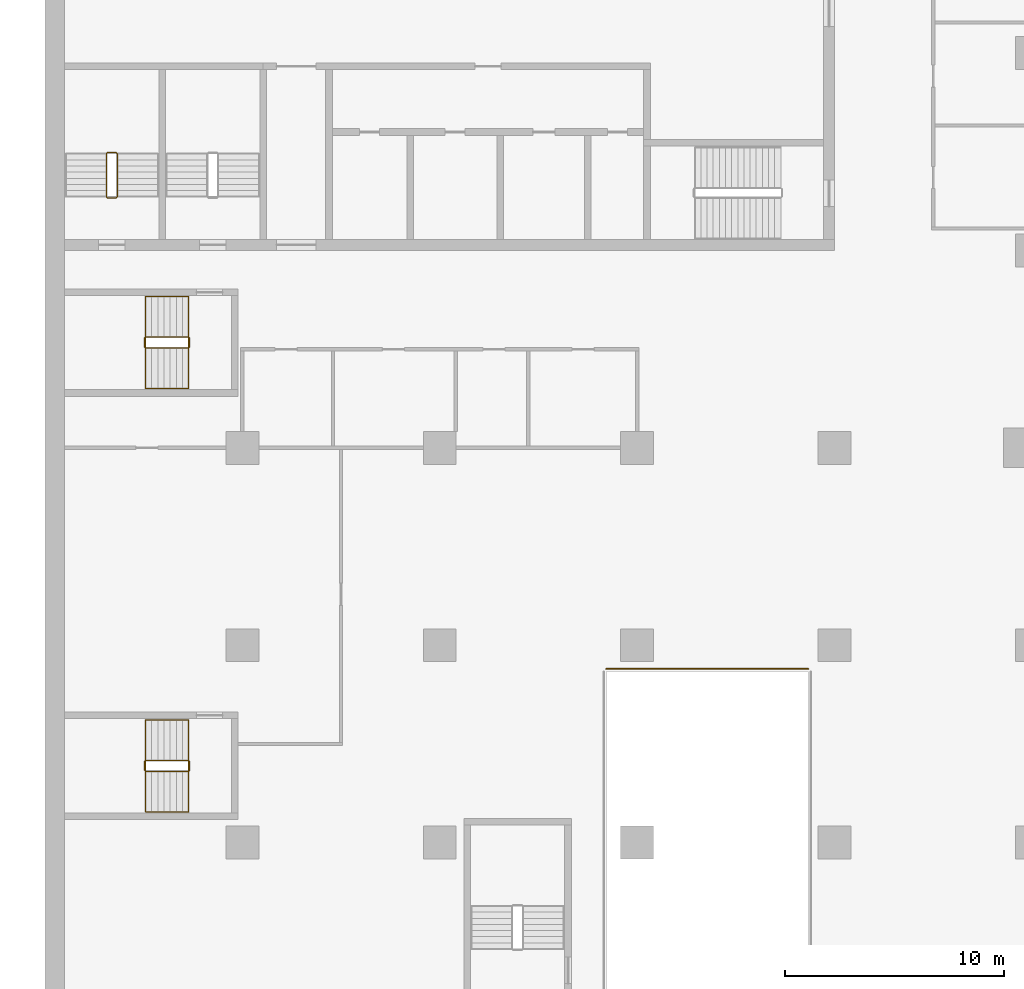
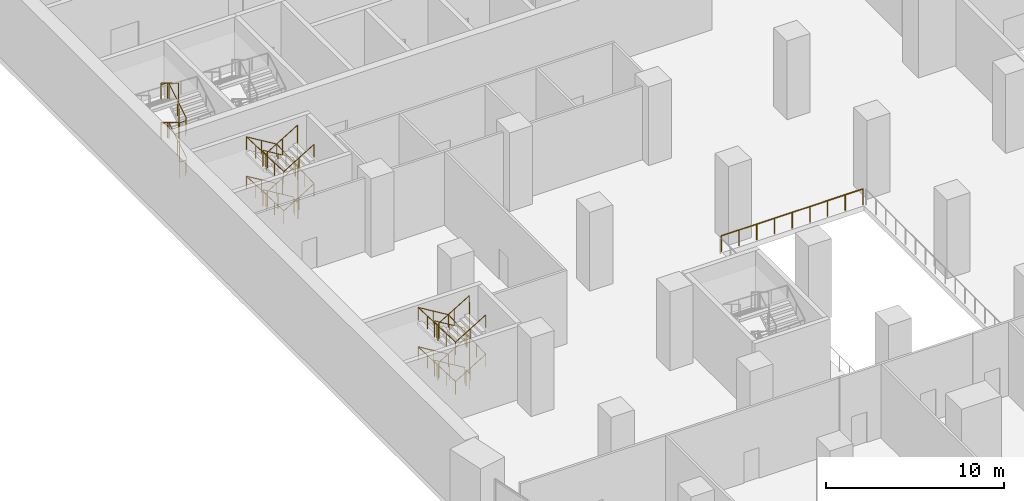
# One storey, part 32 of 43: 6 railings.
"""IFC4 building model written with IfcOpenShell, lengths in metres."""

from ifc_helpers import new_model, si_unit, direction, frame, origin, origin_2d, place, context, subcontext, project, spatial, circle, extrude, material, type_object, element, save


model = new_model("IFC4")

# Units and contexts
model_context = context("Model", 3, precision=1e-05, world=origin(), true_north=direction((0.0, 1.0)))
body_context = subcontext(model_context, "Body", "Model", "MODEL_VIEW")
ifc_project = project(units=[si_unit("LENGTHUNIT", "METRE"), si_unit("AREAUNIT", "SQUARE_METRE"), si_unit("VOLUMEUNIT", "CUBIC_METRE"), si_unit("PLANEANGLEUNIT", "RADIAN"), si_unit("MASSUNIT", "GRAM", prefix="KILO")], contexts=[model_context])

# Site, building, storey
site_placement = place(None, origin())
site = spatial("IfcSite", under=ifc_project, at=site_placement, CompositionType="ELEMENT")
building_placement = place(site_placement, origin())
building = spatial("IfcBuilding", under=site, at=building_placement, Name="Hunhe Ridgeline Campus", CompositionType="ELEMENT")
storey_placement = place(building_placement, frame((0.0, 0.0, 11.39990234375)))
storey = spatial("IfcBuildingStorey", under=building, at=storey_placement, Name="L02", CompositionType="ELEMENT", Elevation=11.39990234375)

# Railings
ifc_material_1 = material(Name="Glass and steel", Category="steel")
railing_type_1 = type_object("IfcRailingType", Name="Atrium glass guard 1100", PredefinedType="GUARDRAIL", material=ifc_material_1)
railing_1_placement = place(storey_placement, frame((34.800048828125, 43.919921875, 0.0)))
element("IfcRailing", 1, at=railing_1_placement, inside=storey, type_object=railing_type_1, Name="L02 atrium guard", PredefinedType="GUARDRAIL", context=body_context, shape_type="SweptSolid", body=[
    extrude(circle(Radius=0.02392578125, at=origin_2d()), frame((0.0, 0.0, 1.076171875), z_axis=(-1.0, 0.0, 0.0), x_axis=(0.0, -1.0, 0.0)), (0.0, 0.0, 1.0), 9.199951171875),
    extrude(circle(Radius=0.02099609375, at=origin_2d()), origin(), (0.0, 0.0, 1.0), 1.052001953125),
    extrude(circle(Radius=0.02099609375, at=origin_2d()), frame((-1.14990234375, 0.0, 0.0)), (0.0, 0.0, 1.0), 1.052001953125),
    extrude(circle(Radius=0.02099609375, at=origin_2d()), frame((-2.300048828125, 0.0, 0.0)), (0.0, 0.0, 1.0), 1.052001953125),
    extrude(circle(Radius=0.02099609375, at=origin_2d()), frame((-3.449951171875, 0.0, 0.0)), (0.0, 0.0, 1.0), 1.052001953125),
    extrude(circle(Radius=0.02099609375, at=origin_2d()), frame((-4.60009765625, 0.0, 0.0)), (0.0, 0.0, 1.0), 1.052001953125),
    extrude(circle(Radius=0.02099609375, at=origin_2d()), frame((-5.75, 0.0, 0.0)), (0.0, 0.0, 1.0), 1.052001953125),
    extrude(circle(Radius=0.02099609375, at=origin_2d()), frame((-6.89990234375, 0.0, 0.0)), (0.0, 0.0, 1.0), 1.052001953125),
    extrude(circle(Radius=0.02099609375, at=origin_2d()), frame((-8.050048828125, 0.0, 0.0)), (0.0, 0.0, 1.0), 1.052001953125),
    extrude(circle(Radius=0.02099609375, at=origin_2d()), frame((-9.199951171875, 0.0, 0.0)), (0.0, 0.0, 1.0), 1.052001953125),
])
ifc_material_2 = material(Name="Stainless steel balustrade", Category="steel")
railing_type_2 = type_object("IfcRailingType", Name="Stair guard 1100 stainless", PredefinedType="GUARDRAIL", material=ifc_material_2)
railing_2_placement = place(storey_placement, frame((3.300048828125, 65.449951171875, 0.1689453125)))
element("IfcRailing", 2, at=railing_2_placement, inside=storey, type_object=railing_type_2, Name="L02 stair S3 guard", PredefinedType="GUARDRAIL", context=body_context, shape_type="SweptSolid", body=[
    extrude(circle(Radius=0.02392578125, at=origin_2d()), frame((0.0, 0.0, 1.076171875), z_axis=(0.0, 0.856493463811, 0.516157869696), x_axis=(-1.0, 0.0, 0.0)), (0.0, 0.0, 1.0), 2.288330078125),
    extrude(circle(Radius=0.02392578125, at=origin_2d()), frame((0.0, 1.9599609375, 2.25732421875), z_axis=(-0.707106781187, 0.707106781187, 0.0), x_axis=(-0.707106781187, -0.707106781187, 0.0)), (0.0, 0.0, 1.0), 0.07080078125),
    extrude(circle(Radius=0.02392578125, at=origin_2d()), frame((-0.050048828125, 2.010009765625, 2.25732421875), z_axis=(-1.0, 0.0, 0.0), x_axis=(0.0, -1.0, 0.0)), (0.0, 0.0, 1.0), 0.39990234375),
    extrude(circle(Radius=0.02392578125, at=origin_2d()), frame((-0.449951171875, 2.010009765625, 2.25732421875), z_axis=(-0.273569069059, -0.273569069059, 0.922127935218), x_axis=(0.707106781187, -0.707106781187, 0.0)), (0.0, 0.0, 1.0), 0.182861328125),
    extrude(circle(Radius=0.02392578125, at=origin_2d()), frame((-0.5, 1.9599609375, 2.42578125), z_axis=(0.0, -0.856446297458, 0.516236127728), x_axis=(1.0, 0.0, 0.0)), (0.0, 0.0, 1.0), 2.28857421875),
    extrude(circle(Radius=0.02392578125, at=origin_2d()), frame((-0.5, 0.0, 3.607421875), z_axis=(0.707106781187, -0.707106781187, 0.0), x_axis=(0.707106781187, 0.707106781187, 0.0)), (0.0, 0.0, 1.0), 0.07080078125),
    extrude(circle(Radius=0.02392578125, at=origin_2d()), frame((-0.449951171875, -0.050048828125, 3.607421875), z_axis=(1.0, 0.0, 0.0), x_axis=(0.0, 1.0, 0.0)), (0.0, 0.0, 1.0), 0.39990234375),
    extrude(circle(Radius=0.02392578125, at=origin_2d()), frame((-0.050048828125, -0.050048828125, 3.607421875), z_axis=(0.273569069059, 0.273569069059, 0.922127935218), x_axis=(-0.707106781187, 0.707106781187, 0.0)), (0.0, 0.0, 1.0), 0.182861328125),
    extrude(circle(Radius=0.02392578125, at=origin_2d()), frame((0.0, 0.0, 3.77587890625), z_axis=(0.0, 0.856493463811, 0.516157869696), x_axis=(-1.0, 0.0, 0.0)), (0.0, 0.0, 1.0), 2.288330078125),
    extrude(circle(Radius=0.02392578125, at=origin_2d()), frame((0.0, 1.9599609375, 4.95703125), z_axis=(-0.707106781187, 0.707106781187, 0.0), x_axis=(-0.707106781187, -0.707106781187, 0.0)), (0.0, 0.0, 1.0), 0.07080078125),
    extrude(circle(Radius=0.02392578125, at=origin_2d()), frame((-0.050048828125, 2.010009765625, 4.95703125), z_axis=(-1.0, 0.0, 0.0), x_axis=(0.0, -1.0, 0.0)), (0.0, 0.0, 1.0), 0.39990234375),
    extrude(circle(Radius=0.02392578125, at=origin_2d()), frame((-0.449951171875, 2.010009765625, 4.95703125), z_axis=(-0.273569069059, -0.273569069059, 0.922127935218), x_axis=(0.707106781187, -0.707106781187, 0.0)), (0.0, 0.0, 1.0), 0.182861328125),
    extrude(circle(Radius=0.02392578125, at=origin_2d()), frame((-0.5, 1.9599609375, 5.1259765625), z_axis=(0.0, -0.856446297458, 0.516236127728), x_axis=(1.0, 0.0, 0.0)), (0.0, 0.0, 1.0), 2.28857421875),
    extrude(circle(Radius=0.02392578125, at=origin_2d()), frame((-0.5, 0.0, 6.30712890625), z_axis=(0.0092672541, -0.0092672541, -0.999914114313), x_axis=(1.0, 0.0, 0.0)), (0.0, 0.0, 1.0), 5.400634765625),
    extrude(circle(Radius=0.02392578125, at=origin_2d()), frame((-0.449951171875, -0.050048828125, 0.9072265625), z_axis=(1.0, 0.0, 0.0), x_axis=(0.0, 1.0, 0.0)), (0.0, 0.0, 1.0), 0.39990234375),
    extrude(circle(Radius=0.02099609375, at=origin_2d()), origin(), (0.0, 0.0, 1.0), 1.052001953125),
    extrude(circle(Radius=0.02099609375, at=origin_2d()), frame((0.0, 0.97998046875, 0.590576171875)), (0.0, 0.0, 1.0), 1.052001953125),
    extrude(circle(Radius=0.02099609375, at=origin_2d()), frame((0.0, 1.9599609375, 1.18115234375)), (0.0, 0.0, 1.0), 1.052001953125),
    extrude(circle(Radius=0.02099609375, at=origin_2d()), frame((-0.050048828125, 2.010009765625, 1.18115234375)), (0.0, 0.0, 1.0), 1.052001953125),
    extrude(circle(Radius=0.02099609375, at=origin_2d()), frame((-0.449951171875, 2.010009765625, 1.18115234375)), (0.0, 0.0, 1.0), 1.052001953125),
    extrude(circle(Radius=0.02099609375, at=origin_2d()), frame((-0.5, 1.9599609375, 1.349853515625)), (0.0, 0.0, 1.0), 1.052001953125),
    extrude(circle(Radius=0.02099609375, at=origin_2d()), frame((-0.5, 0.97998046875, 1.9404296875)), (0.0, 0.0, 1.0), 1.052001953125),
    extrude(circle(Radius=0.02099609375, at=origin_2d()), frame((-0.5, 0.0, 2.53125)), (0.0, 0.0, 1.0), 1.052001953125),
    extrude(circle(Radius=0.02099609375, at=origin_2d()), frame((-0.449951171875, -0.050048828125, 2.53125)), (0.0, 0.0, 1.0), 1.052001953125),
    extrude(circle(Radius=0.02099609375, at=origin_2d()), frame((-0.050048828125, -0.050048828125, 2.53125)), (0.0, 0.0, 1.0), 1.052001953125),
    extrude(circle(Radius=0.02099609375, at=origin_2d()), frame((0.0, 0.0, 2.699951171875)), (0.0, 0.0, 1.0), 1.052001953125),
    extrude(circle(Radius=0.02099609375, at=origin_2d()), frame((0.0, 0.97998046875, 3.29052734375)), (0.0, 0.0, 1.0), 1.052001953125),
    extrude(circle(Radius=0.02099609375, at=origin_2d()), frame((0.0, 1.9599609375, 3.881103515625)), (0.0, 0.0, 1.0), 1.052001953125),
    extrude(circle(Radius=0.02099609375, at=origin_2d()), frame((-0.050048828125, 2.010009765625, 3.881103515625)), (0.0, 0.0, 1.0), 1.052001953125),
    extrude(circle(Radius=0.02099609375, at=origin_2d()), frame((-0.449951171875, 2.010009765625, 3.881103515625)), (0.0, 0.0, 1.0), 1.052001953125),
    extrude(circle(Radius=0.02099609375, at=origin_2d()), frame((-0.5, 1.9599609375, 4.0498046875)), (0.0, 0.0, 1.0), 1.052001953125),
    extrude(circle(Radius=0.02099609375, at=origin_2d()), frame((-0.5, 0.97998046875, 4.640625)), (0.0, 0.0, 1.0), 1.052001953125),
    extrude(circle(Radius=0.02099609375, at=origin_2d()), frame((-0.5, 0.0, 5.231201171875)), (0.0, 0.0, 1.0), 1.052001953125),
    extrude(circle(Radius=0.02099609375, at=origin_2d()), frame((-0.489990234375, -0.010009765625, 4.151123046875)), (0.0, 0.0, 1.0), 1.052001953125),
    extrude(circle(Radius=0.02099609375, at=origin_2d()), frame((-0.47998046875, -0.02001953125, 3.071044921875)), (0.0, 0.0, 1.0), 1.052001953125),
    extrude(circle(Radius=0.02099609375, at=origin_2d()), frame((-0.469970703125, -0.030029296875, 1.9912109375)), (0.0, 0.0, 1.0), 1.052001953125),
    extrude(circle(Radius=0.02099609375, at=origin_2d()), frame((-0.4599609375, -0.0400390625, 0.9111328125)), (0.0, 0.0, 1.0), 1.052001953125),
    extrude(circle(Radius=0.02099609375, at=origin_2d()), frame((-0.449951171875, -0.050048828125, -0.1689453125)), (0.0, 0.0, 1.0), 1.052001953125),
    extrude(circle(Radius=0.02099609375, at=origin_2d()), frame((-0.050048828125, -0.050048828125, -0.1689453125)), (0.0, 0.0, 1.0), 1.052001953125),
])
railing_3_placement = place(storey_placement, frame((6.550048828125, 39.75, 0.1689453125)))
element("IfcRailing", 3, at=railing_3_placement, inside=storey, type_object=railing_type_2, Name="L02 stair W1 guard", PredefinedType="GUARDRAIL", context=body_context, shape_type="SweptSolid", body=[
    extrude(circle(Radius=0.02392578125, at=origin_2d()), frame((0.0, 0.0, 1.076171875), z_axis=(-0.856493463811, 0.0, 0.516157869696), x_axis=(0.0, -1.0, 0.0)), (0.0, 0.0, 1.0), 2.288330078125),
    extrude(circle(Radius=0.02392578125, at=origin_2d()), frame((-1.9599609375, 0.0, 2.25732421875), z_axis=(-0.707106781187, -0.707106781187, 0.0), x_axis=(0.707106781187, -0.707106781187, 0.0)), (0.0, 0.0, 1.0), 0.07080078125),
    extrude(circle(Radius=0.02392578125, at=origin_2d()), frame((-2.010009765625, -0.050048828125, 2.25732421875), z_axis=(0.0, -1.0, 0.0), x_axis=(1.0, 0.0, 0.0)), (0.0, 0.0, 1.0), 0.39990234375),
    extrude(circle(Radius=0.02392578125, at=origin_2d()), frame((-2.010009765625, -0.449951171875, 2.25732421875), z_axis=(0.273569069059, -0.273569069059, 0.922127935218), x_axis=(0.707106781187, 0.707106781187, 0.0)), (0.0, 0.0, 1.0), 0.182861328125),
    extrude(circle(Radius=0.02392578125, at=origin_2d()), frame((-1.9599609375, -0.5, 2.42578125), z_axis=(0.856446297458, 0.0, 0.516236127728), x_axis=(0.0, 1.0, 0.0)), (0.0, 0.0, 1.0), 2.28857421875),
    extrude(circle(Radius=0.02392578125, at=origin_2d()), frame((0.0, -0.5, 3.607421875), z_axis=(0.707106781187, 0.707106781187, 0.0), x_axis=(-0.707106781187, 0.707106781187, 0.0)), (0.0, 0.0, 1.0), 0.07080078125),
    extrude(circle(Radius=0.02392578125, at=origin_2d()), frame((0.050048828125, -0.449951171875, 3.607421875), z_axis=(0.0, 1.0, 0.0), x_axis=(-1.0, 0.0, 0.0)), (0.0, 0.0, 1.0), 0.39990234375),
    extrude(circle(Radius=0.02392578125, at=origin_2d()), frame((0.050048828125, -0.050048828125, 3.607421875), z_axis=(-0.273569069059, 0.273569069059, 0.922127935218), x_axis=(-0.707106781187, -0.707106781187, 0.0)), (0.0, 0.0, 1.0), 0.182861328125),
    extrude(circle(Radius=0.02392578125, at=origin_2d()), frame((0.0, 0.0, 3.77587890625), z_axis=(-0.856493463811, 0.0, 0.516157869696), x_axis=(0.0, -1.0, 0.0)), (0.0, 0.0, 1.0), 2.288330078125),
    extrude(circle(Radius=0.02392578125, at=origin_2d()), frame((-1.9599609375, 0.0, 4.95703125), z_axis=(-0.707106781187, -0.707106781187, 0.0), x_axis=(0.707106781187, -0.707106781187, 0.0)), (0.0, 0.0, 1.0), 0.07080078125),
    extrude(circle(Radius=0.02392578125, at=origin_2d()), frame((-2.010009765625, -0.050048828125, 4.95703125), z_axis=(0.0, -1.0, 0.0), x_axis=(1.0, 0.0, 0.0)), (0.0, 0.0, 1.0), 0.39990234375),
    extrude(circle(Radius=0.02392578125, at=origin_2d()), frame((-2.010009765625, -0.449951171875, 4.95703125), z_axis=(0.273569069059, -0.273569069059, 0.922127935218), x_axis=(0.707106781187, 0.707106781187, 0.0)), (0.0, 0.0, 1.0), 0.182861328125),
    extrude(circle(Radius=0.02392578125, at=origin_2d()), frame((-1.9599609375, -0.5, 5.1259765625), z_axis=(0.856446297458, 0.0, 0.516236127728), x_axis=(0.0, 1.0, 0.0)), (0.0, 0.0, 1.0), 2.28857421875),
    extrude(circle(Radius=0.02392578125, at=origin_2d()), frame((0.0, -0.5, 6.30712890625), z_axis=(0.0092672541, 0.0092672541, -0.999914114313), x_axis=(1.0, 0.0, 0.0)), (0.0, 0.0, 1.0), 5.400634765625),
    extrude(circle(Radius=0.02392578125, at=origin_2d()), frame((0.050048828125, -0.449951171875, 0.9072265625), z_axis=(0.0, 1.0, 0.0), x_axis=(-1.0, 0.0, 0.0)), (0.0, 0.0, 1.0), 0.39990234375),
    extrude(circle(Radius=0.02099609375, at=origin_2d()), origin(), (0.0, 0.0, 1.0), 1.052001953125),
    extrude(circle(Radius=0.02099609375, at=origin_2d()), frame((-0.97998046875, 0.0, 0.590576171875)), (0.0, 0.0, 1.0), 1.052001953125),
    extrude(circle(Radius=0.02099609375, at=origin_2d()), frame((-1.9599609375, 0.0, 1.18115234375)), (0.0, 0.0, 1.0), 1.052001953125),
    extrude(circle(Radius=0.02099609375, at=origin_2d()), frame((-2.010009765625, -0.050048828125, 1.18115234375)), (0.0, 0.0, 1.0), 1.052001953125),
    extrude(circle(Radius=0.02099609375, at=origin_2d()), frame((-2.010009765625, -0.449951171875, 1.18115234375)), (0.0, 0.0, 1.0), 1.052001953125),
    extrude(circle(Radius=0.02099609375, at=origin_2d()), frame((-1.9599609375, -0.5, 1.349853515625)), (0.0, 0.0, 1.0), 1.052001953125),
    extrude(circle(Radius=0.02099609375, at=origin_2d()), frame((-0.97998046875, -0.5, 1.9404296875)), (0.0, 0.0, 1.0), 1.052001953125),
    extrude(circle(Radius=0.02099609375, at=origin_2d()), frame((0.0, -0.5, 2.53125)), (0.0, 0.0, 1.0), 1.052001953125),
    extrude(circle(Radius=0.02099609375, at=origin_2d()), frame((0.050048828125, -0.449951171875, 2.53125)), (0.0, 0.0, 1.0), 1.052001953125),
    extrude(circle(Radius=0.02099609375, at=origin_2d()), frame((0.050048828125, -0.050048828125, 2.53125)), (0.0, 0.0, 1.0), 1.052001953125),
    extrude(circle(Radius=0.02099609375, at=origin_2d()), frame((0.0, 0.0, 2.699951171875)), (0.0, 0.0, 1.0), 1.052001953125),
    extrude(circle(Radius=0.02099609375, at=origin_2d()), frame((-0.97998046875, 0.0, 3.29052734375)), (0.0, 0.0, 1.0), 1.052001953125),
    extrude(circle(Radius=0.02099609375, at=origin_2d()), frame((-1.9599609375, 0.0, 3.881103515625)), (0.0, 0.0, 1.0), 1.052001953125),
    extrude(circle(Radius=0.02099609375, at=origin_2d()), frame((-2.010009765625, -0.050048828125, 3.881103515625)), (0.0, 0.0, 1.0), 1.052001953125),
    extrude(circle(Radius=0.02099609375, at=origin_2d()), frame((-2.010009765625, -0.449951171875, 3.881103515625)), (0.0, 0.0, 1.0), 1.052001953125),
    extrude(circle(Radius=0.02099609375, at=origin_2d()), frame((-1.9599609375, -0.5, 4.0498046875)), (0.0, 0.0, 1.0), 1.052001953125),
    extrude(circle(Radius=0.02099609375, at=origin_2d()), frame((-0.97998046875, -0.5, 4.640625)), (0.0, 0.0, 1.0), 1.052001953125),
    extrude(circle(Radius=0.02099609375, at=origin_2d()), frame((0.0, -0.5, 5.231201171875)), (0.0, 0.0, 1.0), 1.052001953125),
    extrude(circle(Radius=0.02099609375, at=origin_2d()), frame((0.010009765625, -0.489990234375, 4.151123046875)), (0.0, 0.0, 1.0), 1.052001953125),
    extrude(circle(Radius=0.02099609375, at=origin_2d()), frame((0.02001953125, -0.47998046875, 3.071044921875)), (0.0, 0.0, 1.0), 1.052001953125),
    extrude(circle(Radius=0.02099609375, at=origin_2d()), frame((0.030029296875, -0.469970703125, 1.9912109375)), (0.0, 0.0, 1.0), 1.052001953125),
    extrude(circle(Radius=0.02099609375, at=origin_2d()), frame((0.0400390625, -0.4599609375, 0.9111328125)), (0.0, 0.0, 1.0), 1.052001953125),
    extrude(circle(Radius=0.02099609375, at=origin_2d()), frame((0.050048828125, -0.449951171875, -0.1689453125)), (0.0, 0.0, 1.0), 1.052001953125),
    extrude(circle(Radius=0.02099609375, at=origin_2d()), frame((0.050048828125, -0.050048828125, -0.1689453125)), (0.0, 0.0, 1.0), 1.052001953125),
])
railing_4_placement = place(storey_placement, frame((6.550048828125, 59.050048828125, 0.1689453125)))
element("IfcRailing", 4, at=railing_4_placement, inside=storey, type_object=railing_type_2, Name="L02 stair W2 guard", PredefinedType="GUARDRAIL", context=body_context, shape_type="SweptSolid", body=[
    extrude(circle(Radius=0.02392578125, at=origin_2d()), frame((0.0, 0.0, 1.076171875), z_axis=(-0.856493463811, 0.0, 0.516157869696), x_axis=(0.0, -1.0, 0.0)), (0.0, 0.0, 1.0), 2.288330078125),
    extrude(circle(Radius=0.02392578125, at=origin_2d()), frame((-1.9599609375, 0.0, 2.25732421875), z_axis=(-0.707106781187, -0.707106781187, 0.0), x_axis=(0.707106781187, -0.707106781187, 0.0)), (0.0, 0.0, 1.0), 0.07080078125),
    extrude(circle(Radius=0.02392578125, at=origin_2d()), frame((-2.010009765625, -0.050048828125, 2.25732421875), z_axis=(0.0, -1.0, 0.0), x_axis=(1.0, 0.0, 0.0)), (0.0, 0.0, 1.0), 0.39990234375),
    extrude(circle(Radius=0.02392578125, at=origin_2d()), frame((-2.010009765625, -0.449951171875, 2.25732421875), z_axis=(0.273569069059, -0.273569069059, 0.922127935218), x_axis=(0.707106781187, 0.707106781187, 0.0)), (0.0, 0.0, 1.0), 0.182861328125),
    extrude(circle(Radius=0.02392578125, at=origin_2d()), frame((-1.9599609375, -0.5, 2.42578125), z_axis=(0.856446297458, 0.0, 0.516236127728), x_axis=(0.0, 1.0, 0.0)), (0.0, 0.0, 1.0), 2.28857421875),
    extrude(circle(Radius=0.02392578125, at=origin_2d()), frame((0.0, -0.5, 3.607421875), z_axis=(0.707106781187, 0.707106781187, 0.0), x_axis=(-0.707106781187, 0.707106781187, 0.0)), (0.0, 0.0, 1.0), 0.07080078125),
    extrude(circle(Radius=0.02392578125, at=origin_2d()), frame((0.050048828125, -0.449951171875, 3.607421875), z_axis=(0.0, 1.0, 0.0), x_axis=(-1.0, 0.0, 0.0)), (0.0, 0.0, 1.0), 0.39990234375),
    extrude(circle(Radius=0.02392578125, at=origin_2d()), frame((0.050048828125, -0.050048828125, 3.607421875), z_axis=(-0.273569069059, 0.273569069059, 0.922127935218), x_axis=(-0.707106781187, -0.707106781187, 0.0)), (0.0, 0.0, 1.0), 0.182861328125),
    extrude(circle(Radius=0.02392578125, at=origin_2d()), frame((0.0, 0.0, 3.77587890625), z_axis=(-0.856493463811, 0.0, 0.516157869696), x_axis=(0.0, -1.0, 0.0)), (0.0, 0.0, 1.0), 2.288330078125),
    extrude(circle(Radius=0.02392578125, at=origin_2d()), frame((-1.9599609375, 0.0, 4.95703125), z_axis=(-0.707106781187, -0.707106781187, 0.0), x_axis=(0.707106781187, -0.707106781187, 0.0)), (0.0, 0.0, 1.0), 0.07080078125),
    extrude(circle(Radius=0.02392578125, at=origin_2d()), frame((-2.010009765625, -0.050048828125, 4.95703125), z_axis=(0.0, -1.0, 0.0), x_axis=(1.0, 0.0, 0.0)), (0.0, 0.0, 1.0), 0.39990234375),
    extrude(circle(Radius=0.02392578125, at=origin_2d()), frame((-2.010009765625, -0.449951171875, 4.95703125), z_axis=(0.273569069059, -0.273569069059, 0.922127935218), x_axis=(0.707106781187, 0.707106781187, 0.0)), (0.0, 0.0, 1.0), 0.182861328125),
    extrude(circle(Radius=0.02392578125, at=origin_2d()), frame((-1.9599609375, -0.5, 5.1259765625), z_axis=(0.856446297458, 0.0, 0.516236127728), x_axis=(0.0, 1.0, 0.0)), (0.0, 0.0, 1.0), 2.28857421875),
    extrude(circle(Radius=0.02392578125, at=origin_2d()), frame((0.0, -0.5, 6.30712890625), z_axis=(0.0092672541, 0.0092672541, -0.999914114313), x_axis=(1.0, 0.0, 0.0)), (0.0, 0.0, 1.0), 5.400634765625),
    extrude(circle(Radius=0.02392578125, at=origin_2d()), frame((0.050048828125, -0.449951171875, 0.9072265625), z_axis=(0.0, 1.0, 0.0), x_axis=(-1.0, 0.0, 0.0)), (0.0, 0.0, 1.0), 0.39990234375),
    extrude(circle(Radius=0.02099609375, at=origin_2d()), origin(), (0.0, 0.0, 1.0), 1.052001953125),
    extrude(circle(Radius=0.02099609375, at=origin_2d()), frame((-0.97998046875, 0.0, 0.590576171875)), (0.0, 0.0, 1.0), 1.052001953125),
    extrude(circle(Radius=0.02099609375, at=origin_2d()), frame((-1.9599609375, 0.0, 1.18115234375)), (0.0, 0.0, 1.0), 1.052001953125),
    extrude(circle(Radius=0.02099609375, at=origin_2d()), frame((-2.010009765625, -0.050048828125, 1.18115234375)), (0.0, 0.0, 1.0), 1.052001953125),
    extrude(circle(Radius=0.02099609375, at=origin_2d()), frame((-2.010009765625, -0.449951171875, 1.18115234375)), (0.0, 0.0, 1.0), 1.052001953125),
    extrude(circle(Radius=0.02099609375, at=origin_2d()), frame((-1.9599609375, -0.5, 1.349853515625)), (0.0, 0.0, 1.0), 1.052001953125),
    extrude(circle(Radius=0.02099609375, at=origin_2d()), frame((-0.97998046875, -0.5, 1.9404296875)), (0.0, 0.0, 1.0), 1.052001953125),
    extrude(circle(Radius=0.02099609375, at=origin_2d()), frame((0.0, -0.5, 2.53125)), (0.0, 0.0, 1.0), 1.052001953125),
    extrude(circle(Radius=0.02099609375, at=origin_2d()), frame((0.050048828125, -0.449951171875, 2.53125)), (0.0, 0.0, 1.0), 1.052001953125),
    extrude(circle(Radius=0.02099609375, at=origin_2d()), frame((0.050048828125, -0.050048828125, 2.53125)), (0.0, 0.0, 1.0), 1.052001953125),
    extrude(circle(Radius=0.02099609375, at=origin_2d()), frame((0.0, 0.0, 2.699951171875)), (0.0, 0.0, 1.0), 1.052001953125),
    extrude(circle(Radius=0.02099609375, at=origin_2d()), frame((-0.97998046875, 0.0, 3.29052734375)), (0.0, 0.0, 1.0), 1.052001953125),
    extrude(circle(Radius=0.02099609375, at=origin_2d()), frame((-1.9599609375, 0.0, 3.881103515625)), (0.0, 0.0, 1.0), 1.052001953125),
    extrude(circle(Radius=0.02099609375, at=origin_2d()), frame((-2.010009765625, -0.050048828125, 3.881103515625)), (0.0, 0.0, 1.0), 1.052001953125),
    extrude(circle(Radius=0.02099609375, at=origin_2d()), frame((-2.010009765625, -0.449951171875, 3.881103515625)), (0.0, 0.0, 1.0), 1.052001953125),
    extrude(circle(Radius=0.02099609375, at=origin_2d()), frame((-1.9599609375, -0.5, 4.0498046875)), (0.0, 0.0, 1.0), 1.052001953125),
    extrude(circle(Radius=0.02099609375, at=origin_2d()), frame((-0.97998046875, -0.5, 4.640625)), (0.0, 0.0, 1.0), 1.052001953125),
    extrude(circle(Radius=0.02099609375, at=origin_2d()), frame((0.0, -0.5, 5.231201171875)), (0.0, 0.0, 1.0), 1.052001953125),
    extrude(circle(Radius=0.02099609375, at=origin_2d()), frame((0.010009765625, -0.489990234375, 4.151123046875)), (0.0, 0.0, 1.0), 1.052001953125),
    extrude(circle(Radius=0.02099609375, at=origin_2d()), frame((0.02001953125, -0.47998046875, 3.071044921875)), (0.0, 0.0, 1.0), 1.052001953125),
    extrude(circle(Radius=0.02099609375, at=origin_2d()), frame((0.030029296875, -0.469970703125, 1.9912109375)), (0.0, 0.0, 1.0), 1.052001953125),
    extrude(circle(Radius=0.02099609375, at=origin_2d()), frame((0.0400390625, -0.4599609375, 0.9111328125)), (0.0, 0.0, 1.0), 1.052001953125),
    extrude(circle(Radius=0.02099609375, at=origin_2d()), frame((0.050048828125, -0.449951171875, -0.1689453125)), (0.0, 0.0, 1.0), 1.052001953125),
    extrude(circle(Radius=0.02099609375, at=origin_2d()), frame((0.050048828125, -0.050048828125, -0.1689453125)), (0.0, 0.0, 1.0), 1.052001953125),
])
ifc_material_3 = material(Name="Stainless steel handrail", Category="steel")
railing_type_3 = type_object("IfcRailingType", Name="Stair handrail 900 stainless", PredefinedType="HANDRAIL", material=ifc_material_3)
railing_5_placement = place(storey_placement, frame((6.550048828125, 41.60009765625, 0.1689453125)))
element("IfcRailing", 5, at=railing_5_placement, inside=storey, type_object=railing_type_3, Name="L02 stair W1 handrail", PredefinedType="HANDRAIL", context=body_context, shape_type="SweptSolid", body=[
    extrude(circle(Radius=0.02392578125, at=origin_2d()), frame((0.0, 0.0, 0.8759765625), z_axis=(-0.856493463811, 0.0, 0.516157869696), x_axis=(0.0, -1.0, 0.0)), (0.0, 0.0, 1.0), 2.288330078125),
    extrude(circle(Radius=0.02392578125, at=origin_2d()), frame((-1.9599609375, 0.0, 2.05712890625), z_axis=(0.0, -0.999194357895, 0.040132719211), x_axis=(1.0, 0.0, 0.0)), (0.0, 0.0, 1.0), 4.20361328125),
    extrude(circle(Radius=0.02392578125, at=origin_2d()), frame((-1.9599609375, -4.2001953125, 2.2255859375), z_axis=(0.856446297458, 0.0, 0.516236127728), x_axis=(0.0, 1.0, 0.0)), (0.0, 0.0, 1.0), 2.28857421875),
    extrude(circle(Radius=0.02392578125, at=origin_2d()), frame((0.0, -4.2001953125, 3.4072265625), z_axis=(0.0, 0.999194357895, 0.040132719211), x_axis=(-1.0, 0.0, 0.0)), (0.0, 0.0, 1.0), 4.20361328125),
    extrude(circle(Radius=0.02392578125, at=origin_2d()), frame((0.0, 0.0, 3.57568359375), z_axis=(-0.856493463811, 0.0, 0.516157869696), x_axis=(0.0, -1.0, 0.0)), (0.0, 0.0, 1.0), 2.288330078125),
    extrude(circle(Radius=0.02392578125, at=origin_2d()), frame((-1.9599609375, 0.0, 4.7568359375), z_axis=(0.0, -0.999194357895, 0.040132719211), x_axis=(1.0, 0.0, 0.0)), (0.0, 0.0, 1.0), 4.20361328125),
    extrude(circle(Radius=0.02392578125, at=origin_2d()), frame((-1.9599609375, -4.2001953125, 4.92578125), z_axis=(0.856446297458, 0.0, 0.516236127728), x_axis=(0.0, 1.0, 0.0)), (0.0, 0.0, 1.0), 2.28857421875),
    extrude(circle(Radius=0.02099609375, at=origin_2d()), origin(), (0.0, 0.0, 1.0), 0.851806640625),
    extrude(circle(Radius=0.02099609375, at=origin_2d()), frame((-0.97998046875, 0.0, 0.590576171875)), (0.0, 0.0, 1.0), 0.851806640625),
    extrude(circle(Radius=0.02099609375, at=origin_2d()), frame((-1.9599609375, 0.0, 1.18115234375)), (0.0, 0.0, 1.0), 0.851806640625),
    extrude(circle(Radius=0.02099609375, at=origin_2d()), frame((-1.9599609375, -1.050048828125, 1.223388671875)), (0.0, 0.0, 1.0), 0.851806640625),
    extrude(circle(Radius=0.02099609375, at=origin_2d()), frame((-1.9599609375, -2.10009765625, 1.265625)), (0.0, 0.0, 1.0), 0.851806640625),
    extrude(circle(Radius=0.02099609375, at=origin_2d()), frame((-1.9599609375, -3.150146484375, 1.3076171875)), (0.0, 0.0, 1.0), 0.851806640625),
    extrude(circle(Radius=0.02099609375, at=origin_2d()), frame((-1.9599609375, -4.2001953125, 1.349853515625)), (0.0, 0.0, 1.0), 0.851806640625),
    extrude(circle(Radius=0.02099609375, at=origin_2d()), frame((-0.97998046875, -4.2001953125, 1.9404296875)), (0.0, 0.0, 1.0), 0.851806640625),
    extrude(circle(Radius=0.02099609375, at=origin_2d()), frame((0.0, -4.2001953125, 2.53125)), (0.0, 0.0, 1.0), 0.851806640625),
    extrude(circle(Radius=0.02099609375, at=origin_2d()), frame((0.0, -3.150146484375, 2.573486328125)), (0.0, 0.0, 1.0), 0.851806640625),
    extrude(circle(Radius=0.02099609375, at=origin_2d()), frame((0.0, -2.10009765625, 2.61572265625)), (0.0, 0.0, 1.0), 0.851806640625),
    extrude(circle(Radius=0.02099609375, at=origin_2d()), frame((0.0, -1.050048828125, 2.65771484375)), (0.0, 0.0, 1.0), 0.851806640625),
    extrude(circle(Radius=0.02099609375, at=origin_2d()), frame((0.0, 0.0, 2.699951171875)), (0.0, 0.0, 1.0), 0.851806640625),
    extrude(circle(Radius=0.02099609375, at=origin_2d()), frame((-0.97998046875, 0.0, 3.29052734375)), (0.0, 0.0, 1.0), 0.851806640625),
    extrude(circle(Radius=0.02099609375, at=origin_2d()), frame((-1.9599609375, 0.0, 3.881103515625)), (0.0, 0.0, 1.0), 0.851806640625),
    extrude(circle(Radius=0.02099609375, at=origin_2d()), frame((-1.9599609375, -1.050048828125, 3.92333984375)), (0.0, 0.0, 1.0), 0.851806640625),
    extrude(circle(Radius=0.02099609375, at=origin_2d()), frame((-1.9599609375, -2.10009765625, 3.96533203125)), (0.0, 0.0, 1.0), 0.851806640625),
    extrude(circle(Radius=0.02099609375, at=origin_2d()), frame((-1.9599609375, -3.150146484375, 4.007568359375)), (0.0, 0.0, 1.0), 0.851806640625),
    extrude(circle(Radius=0.02099609375, at=origin_2d()), frame((-1.9599609375, -4.2001953125, 4.0498046875)), (0.0, 0.0, 1.0), 0.851806640625),
    extrude(circle(Radius=0.02099609375, at=origin_2d()), frame((-0.97998046875, -4.2001953125, 4.640625)), (0.0, 0.0, 1.0), 0.851806640625),
    extrude(circle(Radius=0.02099609375, at=origin_2d()), frame((0.0, -4.2001953125, 5.231201171875)), (0.0, 0.0, 1.0), 0.851806640625),
])
railing_6_placement = place(storey_placement, frame((6.550048828125, 60.89990234375, 0.1689453125)))
element("IfcRailing", 6, at=railing_6_placement, inside=storey, type_object=railing_type_3, Name="L02 stair W2 handrail", PredefinedType="HANDRAIL", context=body_context, shape_type="SweptSolid", body=[
    extrude(circle(Radius=0.02392578125, at=origin_2d()), frame((0.0, 0.0, 0.8759765625), z_axis=(-0.856493463811, 0.0, 0.516157869696), x_axis=(0.0, -1.0, 0.0)), (0.0, 0.0, 1.0), 2.288330078125),
    extrude(circle(Radius=0.02392578125, at=origin_2d()), frame((-1.9599609375, 0.0, 2.05712890625), z_axis=(0.0, -0.999194264342, 0.040135048344), x_axis=(1.0, 0.0, 0.0)), (0.0, 0.0, 1.0), 4.203369140625),
    extrude(circle(Radius=0.02392578125, at=origin_2d()), frame((-1.9599609375, -4.199951171875, 2.2255859375), z_axis=(0.856446297458, 0.0, 0.516236127728), x_axis=(0.0, 1.0, 0.0)), (0.0, 0.0, 1.0), 2.28857421875),
    extrude(circle(Radius=0.02392578125, at=origin_2d()), frame((0.0, -4.199951171875, 3.4072265625), z_axis=(0.0, 0.999194264342, 0.040135048344), x_axis=(-1.0, 0.0, 0.0)), (0.0, 0.0, 1.0), 4.203369140625),
    extrude(circle(Radius=0.02392578125, at=origin_2d()), frame((0.0, 0.0, 3.57568359375), z_axis=(-0.856493463811, 0.0, 0.516157869696), x_axis=(0.0, -1.0, 0.0)), (0.0, 0.0, 1.0), 2.288330078125),
    extrude(circle(Radius=0.02392578125, at=origin_2d()), frame((-1.9599609375, 0.0, 4.7568359375), z_axis=(0.0, -0.999194264342, 0.040135048344), x_axis=(1.0, 0.0, 0.0)), (0.0, 0.0, 1.0), 4.203369140625),
    extrude(circle(Radius=0.02392578125, at=origin_2d()), frame((-1.9599609375, -4.199951171875, 4.92578125), z_axis=(0.856446297458, 0.0, 0.516236127728), x_axis=(0.0, 1.0, 0.0)), (0.0, 0.0, 1.0), 2.28857421875),
    extrude(circle(Radius=0.02099609375, at=origin_2d()), origin(), (0.0, 0.0, 1.0), 0.851806640625),
    extrude(circle(Radius=0.02099609375, at=origin_2d()), frame((-0.97998046875, 0.0, 0.590576171875)), (0.0, 0.0, 1.0), 0.851806640625),
    extrude(circle(Radius=0.02099609375, at=origin_2d()), frame((-1.9599609375, 0.0, 1.18115234375)), (0.0, 0.0, 1.0), 0.851806640625),
    extrude(circle(Radius=0.02099609375, at=origin_2d()), frame((-1.9599609375, -1.050048828125, 1.223388671875)), (0.0, 0.0, 1.0), 0.851806640625),
    extrude(circle(Radius=0.02099609375, at=origin_2d()), frame((-1.9599609375, -2.10009765625, 1.265625)), (0.0, 0.0, 1.0), 0.851806640625),
    extrude(circle(Radius=0.02099609375, at=origin_2d()), frame((-1.9599609375, -3.14990234375, 1.3076171875)), (0.0, 0.0, 1.0), 0.851806640625),
    extrude(circle(Radius=0.02099609375, at=origin_2d()), frame((-1.9599609375, -4.199951171875, 1.349853515625)), (0.0, 0.0, 1.0), 0.851806640625),
    extrude(circle(Radius=0.02099609375, at=origin_2d()), frame((-0.97998046875, -4.199951171875, 1.9404296875)), (0.0, 0.0, 1.0), 0.851806640625),
    extrude(circle(Radius=0.02099609375, at=origin_2d()), frame((0.0, -4.199951171875, 2.53125)), (0.0, 0.0, 1.0), 0.851806640625),
    extrude(circle(Radius=0.02099609375, at=origin_2d()), frame((0.0, -3.14990234375, 2.573486328125)), (0.0, 0.0, 1.0), 0.851806640625),
    extrude(circle(Radius=0.02099609375, at=origin_2d()), frame((0.0, -2.10009765625, 2.61572265625)), (0.0, 0.0, 1.0), 0.851806640625),
    extrude(circle(Radius=0.02099609375, at=origin_2d()), frame((0.0, -1.050048828125, 2.65771484375)), (0.0, 0.0, 1.0), 0.851806640625),
    extrude(circle(Radius=0.02099609375, at=origin_2d()), frame((0.0, 0.0, 2.699951171875)), (0.0, 0.0, 1.0), 0.851806640625),
    extrude(circle(Radius=0.02099609375, at=origin_2d()), frame((-0.97998046875, 0.0, 3.29052734375)), (0.0, 0.0, 1.0), 0.851806640625),
    extrude(circle(Radius=0.02099609375, at=origin_2d()), frame((-1.9599609375, 0.0, 3.881103515625)), (0.0, 0.0, 1.0), 0.851806640625),
    extrude(circle(Radius=0.02099609375, at=origin_2d()), frame((-1.9599609375, -1.050048828125, 3.92333984375)), (0.0, 0.0, 1.0), 0.851806640625),
    extrude(circle(Radius=0.02099609375, at=origin_2d()), frame((-1.9599609375, -2.10009765625, 3.96533203125)), (0.0, 0.0, 1.0), 0.851806640625),
    extrude(circle(Radius=0.02099609375, at=origin_2d()), frame((-1.9599609375, -3.14990234375, 4.007568359375)), (0.0, 0.0, 1.0), 0.851806640625),
    extrude(circle(Radius=0.02099609375, at=origin_2d()), frame((-1.9599609375, -4.199951171875, 4.0498046875)), (0.0, 0.0, 1.0), 0.851806640625),
    extrude(circle(Radius=0.02099609375, at=origin_2d()), frame((-0.97998046875, -4.199951171875, 4.640625)), (0.0, 0.0, 1.0), 0.851806640625),
    extrude(circle(Radius=0.02099609375, at=origin_2d()), frame((0.0, -4.199951171875, 5.231201171875)), (0.0, 0.0, 1.0), 0.851806640625),
])

save(model, "model.ifc")
